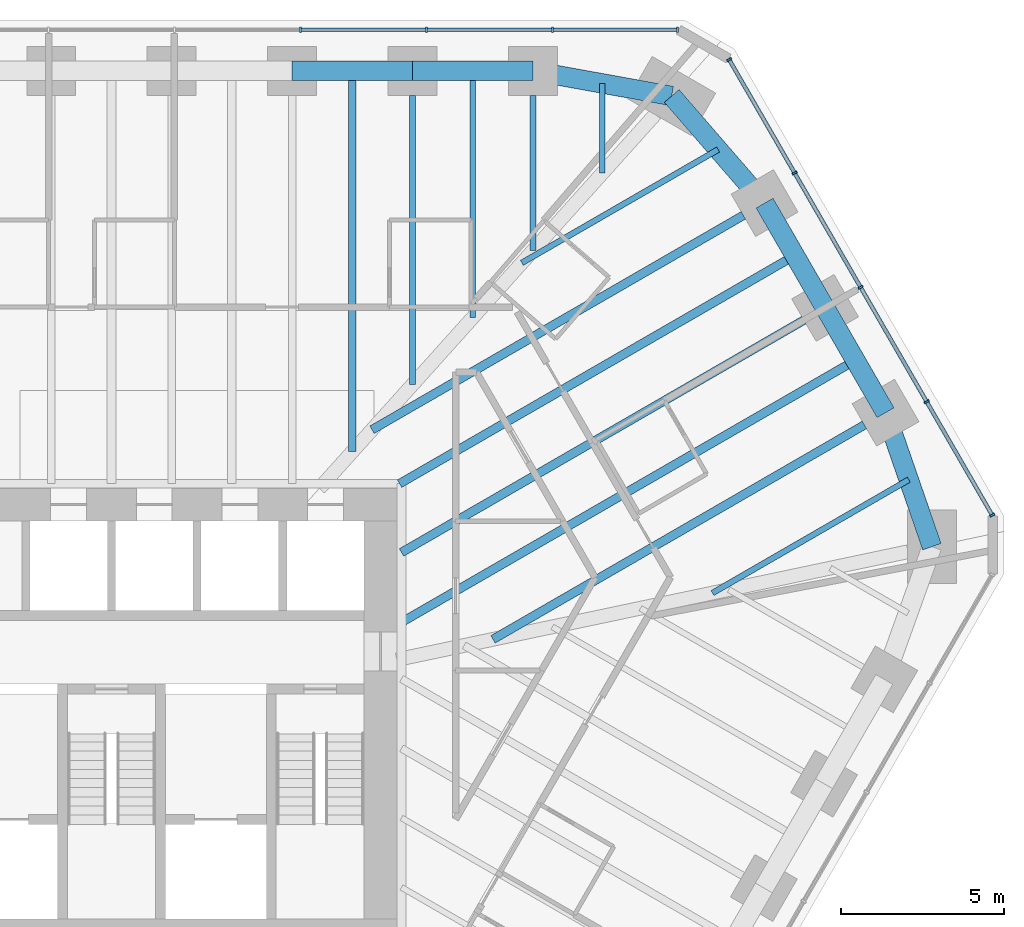
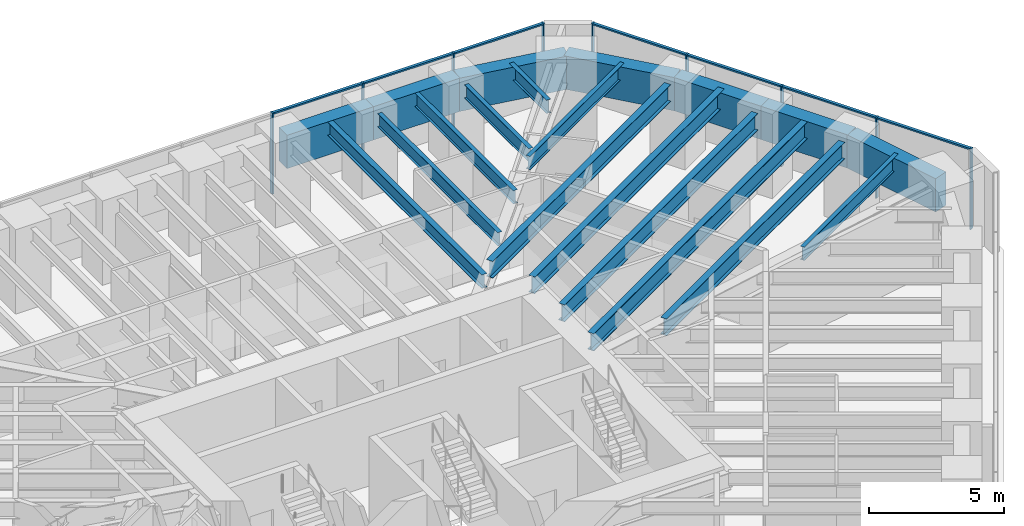
# One storey, part 9 of 16: 19 beams, 16 members, 2 elements without a shape of their own.
"""IFC4 building model written with IfcOpenShell, lengths in metres."""

from ifc_helpers import new_model, si_unit, direction, frame, origin, origin_2d, place, context, subcontext, project, spatial, rectangle, i_section, extrude, material, material_profile, profile_set, type_object, element, aggregate, save


model = new_model("IFC4")

# Units and contexts
model_context = context("Model", 3, precision=1e-05, world=origin(), true_north=direction((0.0, 1.0)))
body_context = subcontext(model_context, "Body", "Model", "MODEL_VIEW")
ifc_project = project(units=[si_unit("LENGTHUNIT", "METRE"), si_unit("AREAUNIT", "SQUARE_METRE"), si_unit("VOLUMEUNIT", "CUBIC_METRE"), si_unit("PLANEANGLEUNIT", "RADIAN"), si_unit("MASSUNIT", "GRAM", prefix="KILO")], contexts=[model_context])

# Site, building, storey
site_placement = place(None, origin())
site = spatial("IfcSite", under=ifc_project, at=site_placement, CompositionType="ELEMENT")
building_placement = place(site_placement, origin())
building = spatial("IfcBuilding", under=site, at=building_placement, Name="Sandreach Pilgrim Tower", CompositionType="ELEMENT")
storey_placement = place(building_placement, frame((0.0, 0.0, 190.800048828125)))
storey = spatial("IfcBuildingStorey", under=building, at=storey_placement, Name="L47", CompositionType="ELEMENT", Elevation=190.800048828125)

# Curtain wall, members
ifc_material_1 = material(Name="Aluminium framed curtain wall", Category="aluminium")
curtain_wall_type = type_object("IfcCurtainWallType", Name="Upper hotel tower curtain wall", PredefinedType="NOTDEFINED", material=ifc_material_1)
curtain_wall_1_placement = place(storey_placement, origin())
curtain_wall_1 = element("IfcCurtainWall", 1, at=curtain_wall_1_placement, inside=storey, type_object=curtain_wall_type, Name="CW-3 L47 N", PredefinedType="NOTDEFINED")
ifc_material_2 = material(Name="Aluminium extrusion", Category="aluminium")
ifc_material_profile_1 = material_profile(ifc_material_2, rectangle(XDim=0.06494140625, YDim=0.159912109375, at=origin_2d()), Name="CW-3M 65X160")
ifc_profile_set_1 = profile_set([ifc_material_profile_1], Name="Aluminium extrusion")
member_type_1 = type_object("IfcMemberType", Name="CW-3 mullion", PredefinedType="MULLION", material=ifc_profile_set_1)
member_1_placement = place(storey_placement, frame((5.796630859375, 21.16015625, 0.0), z_axis=(0.0, 0.0, 1.0), x_axis=(1.0, 0.0, 0.0)))
member_1 = element("IfcMember", 2, at=member_1_placement, type_object=member_type_1, Name="CW-3 mullion 7", PredefinedType="MULLION", context=body_context, shape_type="SweptSolid", body=[
    extrude(rectangle(XDim=0.06494140625, YDim=0.159912109375, at=origin_2d()), origin(), (0.0, 0.0, 1.0), 3.639892578125),
])
member_2_placement = place(storey_placement, frame((9.6611328125, 21.16015625, 0.0), z_axis=(0.0, 0.0, 1.0), x_axis=(1.0, 0.0, 0.0)))
member_2 = element("IfcMember", 3, at=member_2_placement, type_object=member_type_1, Name="CW-3 mullion 8", PredefinedType="MULLION", context=body_context, shape_type="SweptSolid", body=[
    extrude(rectangle(XDim=0.06494140625, YDim=0.159912109375, at=origin_2d()), origin(), (0.0, 0.0, 1.0), 3.639892578125),
])
member_3_placement = place(storey_placement, frame((13.525390625, 21.16015625, 0.0), z_axis=(0.0, 0.0, 1.0), x_axis=(1.0, 0.0, 0.0)))
member_3 = element("IfcMember", 4, at=member_3_placement, type_object=member_type_1, Name="CW-3 mullion 9", PredefinedType="MULLION", context=body_context, shape_type="SweptSolid", body=[
    extrude(rectangle(XDim=0.06494140625, YDim=0.159912109375, at=origin_2d()), origin(), (0.0, 0.0, 1.0), 3.639892578125),
])
member_4_placement = place(storey_placement, frame((17.357421875, 21.16015625, 0.0), z_axis=(0.0, 0.0, 1.0), x_axis=(1.0, 0.0, 0.0)))
member_4 = element("IfcMember", 5, at=member_4_placement, type_object=member_type_1, Name="CW-3 mullion 10", PredefinedType="MULLION", context=body_context, shape_type="SweptSolid", body=[
    extrude(rectangle(XDim=0.06494140625, YDim=0.159912109375, at=origin_2d()), origin(), (0.0, 0.0, 1.0), 3.639892578125),
])

curtain_wall_2_placement = place(storey_placement, origin())
curtain_wall_2 = element("IfcCurtainWall", 6, at=curtain_wall_2_placement, inside=storey, type_object=curtain_wall_type, Name="CW-3 L47 NE", PredefinedType="NOTDEFINED")
member_5_placement = place(storey_placement, frame((18.93896484375, 20.2470703125, 0.0), z_axis=(0.0, 0.0, 1.0), x_axis=(0.5, -0.866025403784, 0.0)))
member_5 = element("IfcMember", 7, at=member_5_placement, type_object=member_type_1, Name="CW-3 mullion 1", PredefinedType="MULLION", context=body_context, shape_type="SweptSolid", body=[
    extrude(rectangle(XDim=0.06494140625, YDim=0.159912109375, at=origin_2d()), origin(), (0.0, 0.0, 1.0), 3.639892578125),
])
member_6_placement = place(storey_placement, frame((20.947021484375, 16.768798828125, 0.0), z_axis=(0.0, 0.0, 1.0), x_axis=(0.5, -0.866025403784, 0.0)))
member_6 = element("IfcMember", 8, at=member_6_placement, type_object=member_type_1, Name="CW-3 mullion 2", PredefinedType="MULLION", context=body_context, shape_type="SweptSolid", body=[
    extrude(rectangle(XDim=0.06494140625, YDim=0.159912109375, at=origin_2d()), origin(), (0.0, 0.0, 1.0), 3.639892578125),
])
member_7_placement = place(storey_placement, frame((22.971435546875, 13.262451171875, 0.0), z_axis=(0.0, 0.0, 1.0), x_axis=(0.5, -0.866025403784, 0.0)))
member_7 = element("IfcMember", 9, at=member_7_placement, type_object=member_type_1, Name="CW-3 mullion 3", PredefinedType="MULLION", context=body_context, shape_type="SweptSolid", body=[
    extrude(rectangle(XDim=0.06494140625, YDim=0.159912109375, at=origin_2d()), origin(), (0.0, 0.0, 1.0), 3.639892578125),
])
member_8_placement = place(storey_placement, frame((24.995849609375, 9.75634765625, 0.0), z_axis=(0.0, 0.0, 1.0), x_axis=(0.5, -0.866025403784, 0.0)))
member_8 = element("IfcMember", 10, at=member_8_placement, type_object=member_type_1, Name="CW-3 mullion 4", PredefinedType="MULLION", context=body_context, shape_type="SweptSolid", body=[
    extrude(rectangle(XDim=0.06494140625, YDim=0.159912109375, at=origin_2d()), origin(), (0.0, 0.0, 1.0), 3.639892578125),
])
member_9_placement = place(storey_placement, frame((27.00390625, 6.278076171875, 0.0), z_axis=(0.0, 0.0, 1.0), x_axis=(0.5, -0.866025403784, 0.0)))
member_9 = element("IfcMember", 11, at=member_9_placement, type_object=member_type_1, Name="CW-3 mullion 5", PredefinedType="MULLION", context=body_context, shape_type="SweptSolid", body=[
    extrude(rectangle(XDim=0.06494140625, YDim=0.159912109375, at=origin_2d()), origin(), (0.0, 0.0, 1.0), 3.639892578125),
])

# Member
ifc_material_3 = material(Name="Aluminium extrusion", Category="aluminium")
ifc_material_profile_2 = material_profile(ifc_material_3, rectangle(XDim=0.1201171875, YDim=0.070068359375, at=origin_2d()), Name="CW-3T 120X70")
ifc_profile_set_2 = profile_set([ifc_material_profile_2], Name="Aluminium extrusion")
member_type_2 = type_object("IfcMemberType", Name="CW-3 transom", PredefinedType="USERDEFINED", material=ifc_profile_set_2)
member_10_placement = place(storey_placement, frame((5.8291015625, 21.16015625, 3.60498046875), z_axis=(1.0, 0.0, 0.0), x_axis=(0.0, 1.0, 0.0)))
member_10 = element("IfcMember", 12, at=member_10_placement, type_object=member_type_2, Name="CW-3 head transom 7", ObjectType="TRANSOM", PredefinedType="USERDEFINED", context=body_context, shape_type="SweptSolid", body=[
    extrude(rectangle(XDim=0.1201171875, YDim=0.070068359375, at=origin_2d()), origin(), (0.0, 0.0, 1.0), 3.799560546875),
])

member_11_placement = place(storey_placement, frame((9.693603515625, 21.16015625, 3.60498046875), z_axis=(1.0, 0.0, 0.0), x_axis=(0.0, 1.0, 0.0)))
member_11 = element("IfcMember", 13, at=member_11_placement, type_object=member_type_2, Name="CW-3 head transom 8", ObjectType="TRANSOM", PredefinedType="USERDEFINED", context=body_context, shape_type="SweptSolid", body=[
    extrude(rectangle(XDim=0.1201171875, YDim=0.070068359375, at=origin_2d()), origin(), (0.0, 0.0, 1.0), 3.79931640625),
])

member_12_placement = place(storey_placement, frame((13.557861328125, 21.16015625, 3.60498046875), z_axis=(1.0, 0.0, 0.0), x_axis=(0.0, 1.0, 0.0)))
member_12 = element("IfcMember", 14, at=member_12_placement, type_object=member_type_2, Name="CW-3 head transom 9", ObjectType="TRANSOM", PredefinedType="USERDEFINED", context=body_context, shape_type="SweptSolid", body=[
    extrude(rectangle(XDim=0.1201171875, YDim=0.070068359375, at=origin_2d()), origin(), (0.0, 0.0, 1.0), 3.76708984375),
])

aggregate(curtain_wall_1, [member_1, member_2, member_3, member_4, member_10, member_11, member_12])

member_13_placement = place(storey_placement, frame((18.955322265625, 20.21875, 3.60498046875), z_axis=(0.499993448556, -0.866029186229, 0.0), x_axis=(0.866029186229, 0.499993448556, 0.0)))
member_13 = element("IfcMember", 15, at=member_13_placement, type_object=member_type_2, Name="CW-3 head transom 1", ObjectType="TRANSOM", PredefinedType="USERDEFINED", context=body_context, shape_type="SweptSolid", body=[
    extrude(rectangle(XDim=0.1201171875, YDim=0.070068359375, at=origin_2d()), origin(), (0.0, 0.0, 1.0), 3.951171875),
])

member_14_placement = place(storey_placement, frame((20.96337890625, 16.74072265625, 3.60498046875), z_axis=(0.499975332564, -0.866039645067, 0.0), x_axis=(0.866039645067, 0.499975332564, 0.0)))
member_14 = element("IfcMember", 16, at=member_14_placement, type_object=member_type_2, Name="CW-3 head transom 2", ObjectType="TRANSOM", PredefinedType="USERDEFINED", context=body_context, shape_type="SweptSolid", body=[
    extrude(rectangle(XDim=0.1201171875, YDim=0.070068359375, at=origin_2d()), origin(), (0.0, 0.0, 1.0), 3.983642578125),
])

member_15_placement = place(storey_placement, frame((22.98779296875, 13.234375, 3.60498046875), z_axis=(0.499975332564, -0.866039645067, 0.0), x_axis=(0.866039645067, 0.499975332564, 0.0)))
member_15 = element("IfcMember", 17, at=member_15_placement, type_object=member_type_2, Name="CW-3 head transom 3", ObjectType="TRANSOM", PredefinedType="USERDEFINED", context=body_context, shape_type="SweptSolid", body=[
    extrude(rectangle(XDim=0.1201171875, YDim=0.070068359375, at=origin_2d()), origin(), (0.0, 0.0, 1.0), 3.983642578125),
])

member_16_placement = place(storey_placement, frame((25.011962890625, 9.728271484375, 3.60498046875), z_axis=(0.499993448556, -0.866029186229, 0.0), x_axis=(0.866029186229, 0.499993448556, 0.0)))
member_16 = element("IfcMember", 18, at=member_16_placement, type_object=member_type_2, Name="CW-3 head transom 4", ObjectType="TRANSOM", PredefinedType="USERDEFINED", context=body_context, shape_type="SweptSolid", body=[
    extrude(rectangle(XDim=0.1201171875, YDim=0.070068359375, at=origin_2d()), origin(), (0.0, 0.0, 1.0), 3.951171875),
])

aggregate(curtain_wall_2, [member_5, member_6, member_7, member_8, member_9, member_13, member_14, member_15, member_16])

# Beams
ifc_material_4 = material(Name="Steel ASTM A992 Grade 50", Category="steel")
ifc_material_profile_3 = material_profile(ifc_material_4, i_section(OverallWidth=0.1787109375, OverallDepth=0.60205078125, WebThickness=0.010986328125, FlangeThickness=0.014892578125, at=origin_2d()), Name="W24X62")
ifc_profile_set_3 = profile_set([ifc_material_profile_3], Name="Steel ASTM A992 Grade 50")
beam_type_1 = type_object("IfcBeamType", Name="Floor beam W24X62", PredefinedType="BEAM", material=ifc_profile_set_3)
beam_1_placement = place(storey_placement, frame((9.231201171875, 19.150146484375, 3.3388671875), z_axis=(0.0, -1.0, 0.0), x_axis=(1.0, 0.0, 0.0)))
element("IfcBeam", 19, at=beam_1_placement, inside=storey, type_object=beam_type_1, Name="BM L47 F07", PredefinedType="BEAM", context=body_context, shape_type="SweptSolid", body=[
    extrude(i_section(OverallWidth=0.1787109375, OverallDepth=0.60205078125, WebThickness=0.010986328125, FlangeThickness=0.014892578125, at=origin_2d()), origin(), (0.0, 0.0, 1.0), 8.86962890625),
])
beam_2_placement = place(storey_placement, frame((12.923828125, 19.150146484375, 3.3388671875), z_axis=(0.0, -1.0, 0.0), x_axis=(1.0, 0.0, 0.0)))
element("IfcBeam", 20, at=beam_2_placement, inside=storey, type_object=beam_type_1, Name="BM L47 F08", PredefinedType="BEAM", context=body_context, shape_type="SweptSolid", body=[
    extrude(i_section(OverallWidth=0.1787109375, OverallDepth=0.60205078125, WebThickness=0.010986328125, FlangeThickness=0.014892578125, at=origin_2d()), origin(), (0.0, 0.0, 1.0), 4.757568359375),
])
beam_3_placement = place(storey_placement, frame((11.077392578125, 19.900146484375, 3.3388671875), z_axis=(0.0, -1.0, 0.0), x_axis=(1.0, 0.0, 0.0)))
element("IfcBeam", 21, at=beam_3_placement, inside=storey, type_object=beam_type_1, Name="BM L47 FM07", PredefinedType="BEAM", context=body_context, shape_type="SweptSolid", body=[
    extrude(i_section(OverallWidth=0.1787109375, OverallDepth=0.60205078125, WebThickness=0.010986328125, FlangeThickness=0.014892578125, at=origin_2d()), origin(), (0.0, 0.0, 1.0), 7.563720703125),
])
beam_4_placement = place(storey_placement, frame((15.05078125, 19.515380859375, 3.3388671875), z_axis=(0.0, -1.0, 0.0), x_axis=(1.0, 0.0, 0.0)))
element("IfcBeam", 22, at=beam_4_placement, inside=storey, type_object=beam_type_1, Name="BM L47 FM08", PredefinedType="BEAM", context=body_context, shape_type="SweptSolid", body=[
    extrude(i_section(OverallWidth=0.1787109375, OverallDepth=0.60205078125, WebThickness=0.010986328125, FlangeThickness=0.014892578125, at=origin_2d()), origin(), (0.0, 0.0, 1.0), 2.75390625),
])
for number, where, z_axis, x_axis, name in (
    (23, (18.6015625, 17.48828125, 3.3388671875), (-0.866029381593, -0.499993110171, 0.0), (0.499993110171, -0.866029381593, 0.0), "BM L47 FM09"),
    (24, (24.446044921875, 7.365234375, 3.3388671875), (-0.866029381593, -0.499993110171, 0.0), (0.499993110171, -0.866029381593, 0.0), "BM L47 FM12"),
):
    element("IfcBeam", number, at=place(storey_placement, frame(where, z_axis=z_axis, x_axis=x_axis)), inside=storey, type_object=beam_type_1, Name=name, PredefinedType="BEAM", context=body_context, shape_type="SweptSolid", body=[
        extrude(i_section(OverallWidth=0.1787109375, OverallDepth=0.60205078125, WebThickness=0.010986328125, FlangeThickness=0.014892578125, at=origin_2d()), origin(), (0.0, 0.0, 1.0), 6.94921875),
    ])
ifc_material_5 = material(Name="Steel ASTM A992 Grade 50", Category="steel")
ifc_material_profile_4 = material_profile(ifc_material_5, i_section(OverallWidth=0.23046875, OverallDepth=0.6171875, WebThickness=0.01318359375, FlangeThickness=0.022216796875, at=origin_2d()), Name="W24X94")
ifc_profile_set_4 = profile_set([ifc_material_profile_4], Name="Steel ASTM A992 Grade 50")
beam_type_2 = type_object("IfcBeamType", Name="Floor beam W24X94", PredefinedType="BEAM", material=ifc_profile_set_4)
beam_5_placement = place(storey_placement, frame((7.385009765625, 19.900146484375, 3.331298828125), z_axis=(0.0, -1.0, 0.0), x_axis=(1.0, 0.0, 0.0)))
element("IfcBeam", 25, at=beam_5_placement, inside=storey, type_object=beam_type_2, Name="BM L47 FM06", PredefinedType="BEAM", context=body_context, shape_type="SweptSolid", body=[
    extrude(i_section(OverallWidth=0.23046875, OverallDepth=0.6171875, WebThickness=0.01318359375, FlangeThickness=0.022216796875, at=origin_2d()), origin(), (0.0, 0.0, 1.0), 11.67578125),
])
ifc_material_6 = material(Name="Steel ASTM A992 Grade 50", Category="steel")
ifc_material_profile_5 = material_profile(ifc_material_6, i_section(OverallWidth=0.2666015625, OverallDepth=0.761962890625, WebThickness=0.014404296875, FlangeThickness=0.021484375, at=origin_2d()), Name="W30X116")
ifc_profile_set_5 = profile_set([ifc_material_profile_5], Name="Steel ASTM A992 Grade 50")
beam_type_3 = type_object("IfcBeamType", Name="Floor beam W30X116", PredefinedType="BEAM", material=ifc_profile_set_5)
beam_6_placement = place(storey_placement, frame((19.37548828125, 15.470947265625, 3.259033203125), z_axis=(-0.866022320763, -0.500005339912, 0.0), x_axis=(0.500005339912, -0.866022320763, 0.0)))
element("IfcBeam", 26, at=beam_6_placement, inside=storey, type_object=beam_type_3, Name="BM L47 F10", PredefinedType="BEAM", context=body_context, shape_type="SweptSolid", body=[
    extrude(i_section(OverallWidth=0.2666015625, OverallDepth=0.761962890625, WebThickness=0.014404296875, FlangeThickness=0.021484375, at=origin_2d()), origin(), (0.0, 0.0, 1.0), 13.148193359375),
])
beam_7_placement = place(storey_placement, frame((21.230712890625, 12.257568359375, 3.259033203125), z_axis=(-0.866024056942, -0.500002332792, 0.0), x_axis=(0.500002332792, -0.866024056942, 0.0)))
element("IfcBeam", 27, at=beam_7_placement, inside=storey, type_object=beam_type_3, Name="BM L47 F11", PredefinedType="BEAM", context=body_context, shape_type="SweptSolid", body=[
    extrude(i_section(OverallWidth=0.2666015625, OverallDepth=0.761962890625, WebThickness=0.014404296875, FlangeThickness=0.021484375, at=origin_2d()), origin(), (0.0, 0.0, 1.0), 14.24609375),
])
beam_8_placement = place(storey_placement, frame((23.0859375, 9.044189453125, 3.259033203125), z_axis=(-0.866026962808, -0.499997299682, 0.0), x_axis=(0.499997299682, -0.866026962808, 0.0)))
element("IfcBeam", 28, at=beam_8_placement, inside=storey, type_object=beam_type_3, Name="BM L47 F12", PredefinedType="BEAM", context=body_context, shape_type="SweptSolid", body=[
    extrude(i_section(OverallWidth=0.2666015625, OverallDepth=0.761962890625, WebThickness=0.014404296875, FlangeThickness=0.021484375, at=origin_2d()), origin(), (0.0, 0.0, 1.0), 13.1484375),
])
beam_9_placement = place(storey_placement, frame((20.95263671875, 14.2392578125, 3.259033203125), z_axis=(-0.866025770688, -0.499999364504, 0.0), x_axis=(0.499999364504, -0.866025770688, 0.0)))
element("IfcBeam", 29, at=beam_9_placement, inside=storey, type_object=beam_type_3, Name="BM L47 FM10", PredefinedType="BEAM", context=body_context, shape_type="SweptSolid", body=[
    extrude(i_section(OverallWidth=0.2666015625, OverallDepth=0.761962890625, WebThickness=0.014404296875, FlangeThickness=0.021484375, at=origin_2d()), origin(), (0.0, 0.0, 1.0), 13.99169921875),
])
ifc_material_7 = material(Name="Steel ASTM A992 Grade 50", Category="steel")
ifc_material_profile_6 = material_profile(ifc_material_7, i_section(OverallWidth=0.2666015625, OverallDepth=0.77978515625, WebThickness=0.0166015625, FlangeThickness=0.030029296875, at=origin_2d()), Name="W30X148")
ifc_profile_set_6 = profile_set([ifc_material_profile_6], Name="Steel ASTM A992 Grade 50")
beam_type_4 = type_object("IfcBeamType", Name="Floor beam W30X148", PredefinedType="BEAM", material=ifc_profile_set_6)
beam_10_placement = place(storey_placement, frame((22.807861328125, 11.02587890625, 3.25), z_axis=(-0.866028701771, -0.499994287676, 0.0), x_axis=(0.499994287676, -0.866028701771, 0.0)))
element("IfcBeam", 30, at=beam_10_placement, inside=storey, type_object=beam_type_4, Name="BM L47 FM11", PredefinedType="BEAM", context=body_context, shape_type="SweptSolid", body=[
    extrude(i_section(OverallWidth=0.2666015625, OverallDepth=0.77978515625, WebThickness=0.0166015625, FlangeThickness=0.030029296875, at=origin_2d()), origin(), (0.0, 0.0, 1.0), 16.067138671875),
])
ifc_material_8 = material(Name="Concrete 10000 psi", Category="concrete")
ifc_material_profile_7 = material_profile(ifc_material_8, rectangle(XDim=0.60009765625, YDim=1.5, at=origin_2d()), Name="RC600X1500")
ifc_profile_set_7 = profile_set([ifc_material_profile_7], Name="Concrete 10000 psi")
beam_type_5 = type_object("IfcBeamType", Name="Spandrel beam RC600X1500", PredefinedType="SPANDREL", material=ifc_profile_set_7)
beam_11_placement = place(storey_placement, frame((5.538818359375, 19.900146484375, 2.889892578125), z_axis=(1.0, 0.0, 0.0), x_axis=(0.0, 1.0, 0.0)))
element("IfcBeam", 31, at=beam_11_placement, inside=storey, type_object=beam_type_5, Name="BM L47 SP06", PredefinedType="SPANDREL", context=body_context, shape_type="SweptSolid", body=[
    extrude(rectangle(XDim=0.60009765625, YDim=1.5, at=origin_2d()), origin(), (0.0, 0.0, 1.0), 3.6923828125),
])
beam_12_placement = place(storey_placement, frame((9.231201171875, 19.900146484375, 2.889892578125), z_axis=(1.0, 0.0, 0.0), x_axis=(0.0, 1.0, 0.0)))
element("IfcBeam", 32, at=beam_12_placement, inside=storey, type_object=beam_type_5, Name="BM L47 SP07", PredefinedType="SPANDREL", context=body_context, shape_type="SweptSolid", body=[
    extrude(rectangle(XDim=0.60009765625, YDim=1.5, at=origin_2d()), origin(), (0.0, 0.0, 1.0), 3.692626953125),
])
beam_13_placement = place(storey_placement, frame((12.923828125, 19.900146484375, 2.889892578125), z_axis=(0.984030345637, -0.178000783326, 0.0), x_axis=(0.178000783326, 0.984030345637, 0.0)))
element("IfcBeam", 33, at=beam_13_placement, inside=storey, type_object=beam_type_5, Name="BM L47 SP08", PredefinedType="SPANDREL", context=body_context, shape_type="SweptSolid", body=[
    extrude(rectangle(XDim=0.60009765625, YDim=1.5, at=origin_2d()), origin(), (0.0, 0.0, 1.0), 4.3232421875),
])
beam_14_placement = place(storey_placement, frame((17.177978515625, 19.130615234375, 2.889892578125), z_axis=(0.65499040715, -0.755637192402, 0.0), x_axis=(0.755637192402, 0.65499040715, 0.0)))
element("IfcBeam", 34, at=beam_14_placement, inside=storey, type_object=beam_type_5, Name="BM L47 SP09", PredefinedType="SPANDREL", context=body_context, shape_type="SweptSolid", body=[
    extrude(rectangle(XDim=0.60009765625, YDim=1.5, at=origin_2d()), origin(), (0.0, 0.0, 1.0), 4.346923828125),
])
for number, where, z_axis, x_axis, name in (
    (35, (20.025146484375, 15.845947265625, 2.889892578125), (0.499995842751, -0.86602780396, 0.0), (0.86602780396, 0.499995842751, 0.0), "BM L47 SP10"),
    (36, (21.88037109375, 12.632568359375, 2.889892578125), (0.499946491854, -0.866056294523, 0.0), (0.866056294523, 0.499946491854, 0.0), "BM L47 SP11"),
):
    element("IfcBeam", number, at=place(storey_placement, frame(where, z_axis=z_axis, x_axis=x_axis)), inside=storey, type_object=beam_type_5, Name=name, PredefinedType="SPANDREL", context=body_context, shape_type="SweptSolid", body=[
        extrude(rectangle(XDim=0.60009765625, YDim=1.5, at=origin_2d()), origin(), (0.0, 0.0, 1.0), 3.71044921875),
    ])
beam_15_placement = place(storey_placement, frame((23.7353515625, 9.419189453125, 2.889892578125), z_axis=(0.326940800053, -0.945044820768, 0.0), x_axis=(0.945044820768, 0.326940800053, 0.0)))
element("IfcBeam", 37, at=beam_15_placement, inside=storey, type_object=beam_type_5, Name="BM L47 SP12", PredefinedType="SPANDREL", context=body_context, shape_type="SweptSolid", body=[
    extrude(rectangle(XDim=0.60009765625, YDim=1.5, at=origin_2d()), origin(), (0.0, 0.0, 1.0), 4.3466796875),
])

save(model, "model.ifc")
